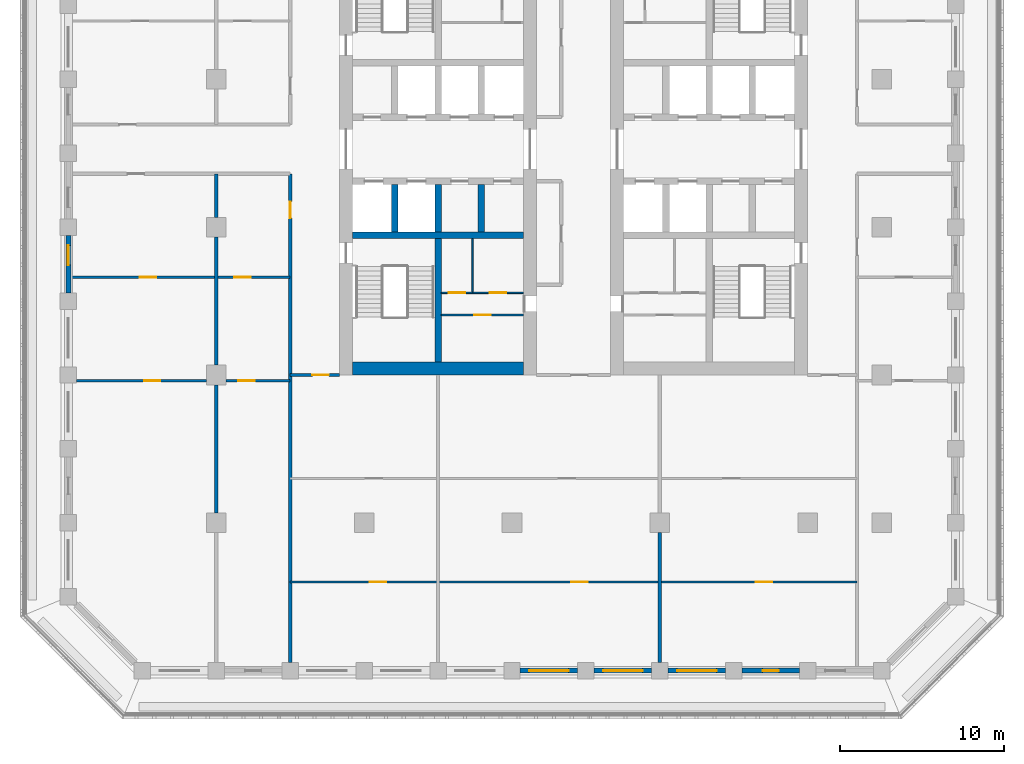
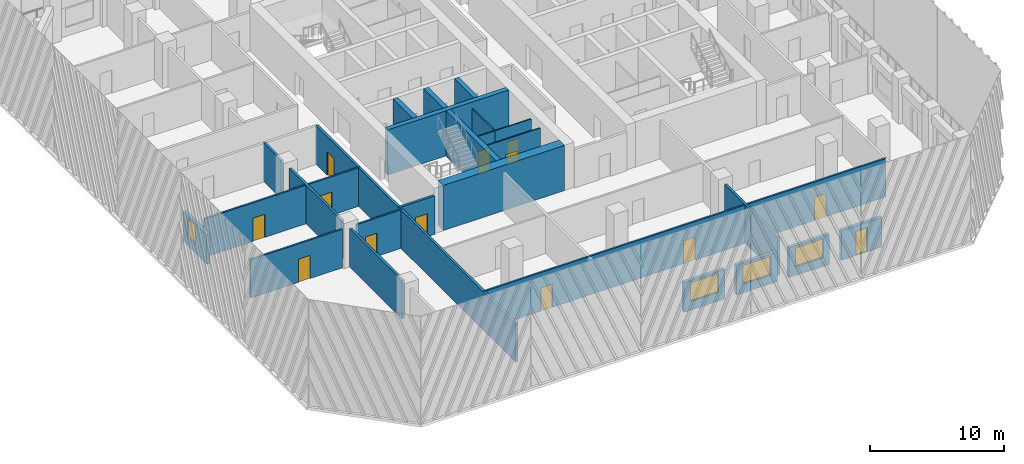
# One storey, part 3 of 18: 25 walls, 13 doors, 4 windows, 17 openings.
"""IFC4 building model written with IfcOpenShell, lengths in metres."""

from ifc_helpers import new_model, si_unit, direction, frame, frame_2d, origin, place, context, subcontext, project, spatial, rectangle, extrude, material, layer, layer_set, type_object, element, fill, save


model = new_model("IFC4")

# Units and contexts
model_context = context("Model", 3, precision=1e-05, world=origin(), true_north=direction((0.0, 1.0)))
body_context = subcontext(model_context, "Body", "Model", "MODEL_VIEW")
ifc_project = project(units=[si_unit("LENGTHUNIT", "METRE"), si_unit("AREAUNIT", "SQUARE_METRE"), si_unit("VOLUMEUNIT", "CUBIC_METRE"), si_unit("PLANEANGLEUNIT", "RADIAN"), si_unit("MASSUNIT", "GRAM", prefix="KILO")], contexts=[model_context])

# Site, building, storey
site_placement = place(None, origin())
site = spatial("IfcSite", under=ifc_project, at=site_placement, CompositionType="ELEMENT")
building_placement = place(site_placement, origin())
building = spatial("IfcBuilding", under=site, at=building_placement, Name="Corbel Stack Research Tower", CompositionType="ELEMENT")
storey_placement = place(building_placement, frame((0.0, 0.0, 181.39990234375)))
storey = spatial("IfcBuildingStorey", under=building, at=storey_placement, Name="L41", CompositionType="ELEMENT", Elevation=181.39990234375)

# Walls
ifc_material_1 = material(Name="Concrete C60/75", Category="concrete")
ifc_layer_1 = layer(ifc_material_1, 0.39990234375)
ifc_layer_set_1 = layer_set([ifc_layer_1], Name="Concrete C60/75")
wall_type_1 = type_object("IfcWallType", Name="CW-400-60", PredefinedType="SHEAR", material=ifc_layer_set_1)
wall_1_placement = place(storey_placement, frame((-9.699951171875, -0.5, 0.0), z_axis=(0.0, 0.0, 1.0), x_axis=(1.0, 0.0, 0.0)))
element("IfcWall", 1, at=wall_1_placement, inside=storey, type_object=wall_type_1, Name="West core wall, south row back L41", PredefinedType="SHEAR", context=body_context, shape_type="SweptSolid", body=[
    extrude(rectangle(XDim=10.39990234375, YDim=0.39990234375, at=frame_2d((5.199951171875, 0.0))), origin(), (0.0, 0.0, 1.0), 4.10009765625),
])
for number, where, z_axis, x_axis, name in (
    (2, (-7.125, -0.300048828125, 0.0), (0.0, 0.0, 1.0), (0.0, 1.0, 0.0), "West core wall, south shaft 1 L41"),
    (3, (-4.5, -0.300048828125, 0.0), (0.0, 0.0, 1.0), (0.0, 1.0, 0.0), "West core wall, south shaft 2 L41"),
    (4, (-1.875, -0.300048828125, 0.0), (0.0, 0.0, 1.0), (0.0, 1.0, 0.0), "West core wall, south shaft 3 L41"),
):
    element("IfcWall", number, at=place(storey_placement, frame(where, z_axis=z_axis, x_axis=x_axis)), inside=storey, type_object=wall_type_1, Name=name, PredefinedType="SHEAR", context=body_context, shape_type="SweptSolid", body=[
        extrude(rectangle(XDim=2.900146484375, YDim=0.39990234375, at=frame_2d((1.4501953125, 0.0))), origin(), (0.0, 0.0, 1.0), 4.10009765625),
    ])
wall_2_placement = place(storey_placement, frame((-4.5, -8.199951171875, 0.0), z_axis=(0.0, 0.0, 1.0), x_axis=(0.0, 1.0, 0.0)))
element("IfcWall", 5, at=wall_2_placement, inside=storey, type_object=wall_type_1, Name="West core wall, south stair and WC L41", PredefinedType="SHEAR", context=body_context, shape_type="SweptSolid", body=[
    extrude(rectangle(XDim=7.5, YDim=0.39990234375, at=frame_2d((3.75, 0.0))), origin(), (0.0, 0.0, 1.0), 4.10009765625),
])
ifc_material_2 = material(Name="Concrete C60/75", Category="concrete")
ifc_layer_2 = layer(ifc_material_2, 0.800048828125)
ifc_layer_set_2 = layer_set([ifc_layer_2], Name="Concrete C60/75")
wall_type_2 = type_object("IfcWallType", Name="CW-800-60", PredefinedType="SHEAR", material=ifc_layer_set_2)
wall_3_placement = place(storey_placement, frame((-9.699951171875, -8.60009765625, 0.0), z_axis=(0.0, 0.0, 1.0), x_axis=(1.0, 0.0, 0.0)))
element("IfcWall", 6, at=wall_3_placement, inside=storey, type_object=wall_type_2, Name="West core wall, south end L41", PredefinedType="SHEAR", context=body_context, shape_type="SweptSolid", body=[
    extrude(rectangle(XDim=10.39990234375, YDim=0.800048828125, at=frame_2d((5.199951171875, 0.0))), origin(), (0.0, 0.0, 1.0), 4.10009765625),
])

# Wall, opening, door
ifc_material_3 = material(Name="Gypsum board")
ifc_layer_3 = layer(ifc_material_3, 0.10009765625)
ifc_layer_set_3 = layer_set([ifc_layer_3], Name="Gypsum board")
wall_type_3 = type_object("IfcWallType", Name="Core partition 100", PredefinedType="PARTITIONING", material=ifc_layer_set_3)
wall_4_placement = place(storey_placement, frame((-4.300048828125, -5.35009765625, 0.0), z_axis=(0.0, 0.0, 1.0), x_axis=(1.0, 0.0, 0.0)))
wall_4 = element("IfcWall", 7, at=wall_4_placement, inside=storey, type_object=wall_type_3, Name="Core partition W", PredefinedType="PARTITIONING", context=body_context, shape_type="SweptSolid", body=[
    extrude(rectangle(XDim=5.0, YDim=0.10009765625, at=frame_2d((2.5, 0.0))), origin(), (0.0, 0.0, 1.0), 3.5),
])
opening_1_placement = place(wall_4_placement, frame((2.0, 0.0, 0.0)))
opening_1 = element("IfcOpeningElement", 8, at=opening_1_placement, cuts=wall_4, Name="Opening CR-W24-W2-1000", PredefinedType="OPENING", context=body_context, shape_type="SweptSolid", body=[
    extrude(rectangle(XDim=1.0, YDim=2.10009765625, at=frame_2d((0.5, 1.050048828125))), frame((0.0, 0.06005859375, 0.0), z_axis=(0.0, -1.0, 0.0), x_axis=(1.0, 0.0, 0.0)), (0.0, 0.0, 1.0), 0.1201171875),
])
ifc_material_4 = material(Name="Painted timber door", Category="wood")
door_type_1 = type_object("IfcDoorType", Name="WC door 1000 x 2100 right hand", OperationType="SINGLE_SWING_RIGHT", PredefinedType="DOOR", material=ifc_material_4)
door_1_placement = place(opening_1_placement, origin())
door_1 = element("IfcDoor", 9, at=door_1_placement, inside=storey, type_object=door_type_1, Name="Men's WC door W core", OperationType="SINGLE_SWING_RIGHT", OverallHeight=2.10009765625, OverallWidth=1.0, PredefinedType="DOOR", context=body_context, shape_type="SweptSolid", body=[
    extrude(rectangle(XDim=1.0, YDim=2.10009765625, at=frame_2d((0.5, 1.050048828125))), frame((0.0, 0.02490234375, 0.0), z_axis=(0.0, -1.0, 0.0), x_axis=(1.0, 0.0, 0.0)), (0.0, 0.0, 1.0), 0.050048828125),
])
fill(opening_1, door_1)

wall_5_placement = place(storey_placement, frame((-2.39990234375, -4.0, 0.0), z_axis=(0.0, 0.0, 1.0), x_axis=(1.0, 0.0, 0.0)))
wall_5 = element("IfcWall", 10, at=wall_5_placement, inside=storey, type_object=wall_type_3, Name="Core partition W", PredefinedType="PARTITIONING", context=body_context, shape_type="SweptSolid", body=[
    extrude(rectangle(XDim=3.099853515625, YDim=0.10009765625, at=frame_2d((1.5498046875, 0.0))), origin(), (0.0, 0.0, 1.0), 3.5),
])
opening_2_placement = place(wall_5_placement, frame((1.050048828125, 0.0, 0.0)))
opening_2 = element("IfcOpeningElement", 11, at=opening_2_placement, cuts=wall_5, Name="Opening CR-W24-W3-1000", PredefinedType="OPENING", context=body_context, shape_type="SweptSolid", body=[
    extrude(rectangle(XDim=1.0, YDim=2.10009765625, at=frame_2d((0.5, 1.050048828125))), frame((0.0, 0.06005859375, 0.0), z_axis=(0.0, -1.0, 0.0), x_axis=(1.0, 0.0, 0.0)), (0.0, 0.0, 1.0), 0.1201171875),
])
ifc_material_5 = material(Name="Painted timber door", Category="wood")
door_type_2 = type_object("IfcDoorType", Name="WC door 1000 x 2100 left hand", OperationType="SINGLE_SWING_LEFT", PredefinedType="DOOR", material=ifc_material_5)
door_2_placement = place(opening_2_placement, origin())
door_2 = element("IfcDoor", 12, at=door_2_placement, inside=storey, type_object=door_type_2, Name="Women's WC door W core", OperationType="SINGLE_SWING_LEFT", OverallHeight=2.10009765625, OverallWidth=1.0, PredefinedType="DOOR", context=body_context, shape_type="SweptSolid", body=[
    extrude(rectangle(XDim=1.0, YDim=2.10009765625, at=frame_2d((0.5, 1.050048828125))), frame((0.0, 0.02490234375, 0.0), z_axis=(0.0, -1.0, 0.0), x_axis=(1.0, 0.0, 0.0)), (0.0, 0.0, 1.0), 0.050048828125),
])
fill(opening_2, door_2)

wall_6_placement = place(storey_placement, frame((-4.300048828125, -4.0, 0.0), z_axis=(0.0, 0.0, 1.0), x_axis=(1.0, 0.0, 0.0)))
wall_6 = element("IfcWall", 13, at=wall_6_placement, inside=storey, type_object=wall_type_3, Name="Core partition W", PredefinedType="PARTITIONING", context=body_context, shape_type="SweptSolid", body=[
    extrude(rectangle(XDim=1.900146484375, YDim=0.10009765625, at=frame_2d((0.9501953125, 0.0))), origin(), (0.0, 0.0, 1.0), 3.5),
])
opening_3_placement = place(wall_6_placement, frame((0.449951171875, 0.0, 0.0)))
opening_3 = element("IfcOpeningElement", 14, at=opening_3_placement, cuts=wall_6, Name="Opening CR-W24-W4-1000", PredefinedType="OPENING", context=body_context, shape_type="SweptSolid", body=[
    extrude(rectangle(XDim=1.0, YDim=2.10009765625, at=frame_2d((0.5, 1.050048828125))), frame((0.0, 0.06005859375, 0.0), z_axis=(0.0, -1.0, 0.0), x_axis=(1.0, 0.0, 0.0)), (0.0, 0.0, 1.0), 0.1201171875),
])
door_3_placement = place(opening_3_placement, origin())
door_3 = element("IfcDoor", 15, at=door_3_placement, inside=storey, type_object=door_type_1, Name="Accessible WC door W core", OperationType="SINGLE_SWING_RIGHT", OverallHeight=2.10009765625, OverallWidth=1.0, PredefinedType="DOOR", context=body_context, shape_type="SweptSolid", body=[
    extrude(rectangle(XDim=1.0, YDim=2.10009765625, at=frame_2d((0.5, 1.050048828125))), frame((0.0, 0.02490234375, 0.0), z_axis=(0.0, -1.0, 0.0), x_axis=(1.0, 0.0, 0.0)), (0.0, 0.0, 1.0), 0.050048828125),
])
fill(opening_3, door_3)

# Walls
wall_7_placement = place(storey_placement, frame((-2.39990234375, -4.0, 0.0), z_axis=(0.0, 0.0, 1.0), x_axis=(0.0, 1.0, 0.0)))
element("IfcWall", 16, at=wall_7_placement, inside=storey, type_object=wall_type_3, Name="Core partition W", PredefinedType="PARTITIONING", context=body_context, shape_type="SweptSolid", body=[
    extrude(rectangle(XDim=3.300048828125, YDim=0.10009765625, at=frame_2d((1.64990234375, 0.0))), origin(), (0.0, 0.0, 1.0), 3.5),
])
ifc_material_6 = material(Name="Fire-rated gypsum board partition on steel studs", Category="steel")
ifc_layer_4 = layer(ifc_material_6, 0.199951171875)
ifc_layer_set_4 = layer_set([ifc_layer_4], Name="Fire-rated gypsum board partition on steel studs")
wall_type_4 = type_object("IfcWallType", Name="Fire-rated partition 200 EI 60", PredefinedType="PARTITIONING", material=ifc_layer_set_4)
for number, where, z_axis, x_axis, name in (
    (17, (-18.0, -17.39990234375, 0.0), (0.0, 0.0, 1.0), (0.0, 1.0, 0.0), "Partition L41-002"),
    (18, (-18.0, -8.39990234375, 0.0), (0.0, 0.0, 1.0), (0.0, 1.0, 0.0), "Partition L41-003"),
):
    element("IfcWall", number, at=place(storey_placement, frame(where, z_axis=z_axis, x_axis=x_axis)), inside=storey, type_object=wall_type_4, Name=name, PredefinedType="PARTITIONING", context=body_context, shape_type="SweptSolid", body=[
        extrude(rectangle(XDim=7.7998046875, YDim=0.199951171875, at=frame_2d((3.89990234375, 0.0))), origin(), (0.0, 0.0, 1.0), 3.5),
    ])
wall_8_placement = place(storey_placement, frame((-18.0, 0.60009765625, 0.0), z_axis=(0.0, 0.0, 1.0), x_axis=(0.0, 1.0, 0.0)))
element("IfcWall", 19, at=wall_8_placement, inside=storey, type_object=wall_type_4, Name="Partition L41-004", PredefinedType="PARTITIONING", context=body_context, shape_type="SweptSolid", body=[
    extrude(rectangle(XDim=2.64990234375, YDim=0.199951171875, at=frame_2d((1.324951171875, 0.0))), origin(), (0.0, 0.0, 1.0), 3.5),
])

# Wall, opening, door
wall_9_placement = place(storey_placement, frame((-13.5, -26.5, 0.0), z_axis=(0.0, 0.0, 1.0), x_axis=(0.0, 1.0, 0.0)))
wall_9 = element("IfcWall", 20, at=wall_9_placement, inside=storey, type_object=wall_type_4, Name="Partition L41-009", PredefinedType="PARTITIONING", context=body_context, shape_type="SweptSolid", body=[
    extrude(rectangle(XDim=29.75, YDim=0.199951171875, at=frame_2d((14.875, 0.0))), origin(), (0.0, 0.0, 1.0), 3.5),
])
opening_4_placement = place(wall_9_placement, frame((27.050048828125, 0.0, 0.0)))
opening_4 = element("IfcOpeningElement", 21, at=opening_4_placement, cuts=wall_9, Name="Opening B5V2-007", PredefinedType="OPENING", context=body_context, shape_type="SweptSolid", body=[
    extrude(rectangle(XDim=1.0, YDim=2.10009765625, at=frame_2d((0.5, 1.050048828125))), frame((0.0, 0.10986328125, 0.0), z_axis=(0.0, -1.0, 0.0), x_axis=(1.0, 0.0, 0.0)), (0.0, 0.0, 1.0), 0.219970703125),
])
ifc_material_7 = material(Name="Painted steel fire door", Category="steel")
door_type_3 = type_object("IfcDoorType", Name="Fire door FD30S 1000 x 2100", OperationType="NOTDEFINED", PredefinedType="DOOR", material=ifc_material_7)
door_4_placement = place(opening_4_placement, origin())
door_4 = element("IfcDoor", 22, at=door_4_placement, inside=storey, type_object=door_type_3, Name="Door B5V2-007", OperationType="SINGLE_SWING_RIGHT", OverallHeight=2.10009765625, OverallWidth=1.0, PredefinedType="DOOR", context=body_context, shape_type="SweptSolid", body=[
    extrude(rectangle(XDim=1.0, YDim=2.10009765625, at=frame_2d((0.5, 1.050048828125))), frame((0.0, 0.02490234375, 0.0), z_axis=(0.0, -1.0, 0.0), x_axis=(1.0, 0.0, 0.0)), (0.0, 0.0, 1.0), 0.050048828125),
])
fill(opening_4, door_4)

# Wall
wall_10_placement = place(storey_placement, frame((9.0, -26.5, 0.0), z_axis=(0.0, 0.0, 1.0), x_axis=(0.0, 1.0, 0.0)))
element("IfcWall", 23, at=wall_10_placement, inside=storey, type_object=wall_type_4, Name="Partition L41-015", PredefinedType="PARTITIONING", context=body_context, shape_type="SweptSolid", body=[
    extrude(rectangle(XDim=7.89990234375, YDim=0.199951171875, at=frame_2d((3.949951171875, 0.0))), origin(), (0.0, 0.0, 1.0), 3.5),
])

# Wall, opening, door
wall_11_placement = place(storey_placement, frame((-10.5, -9.0, 0.0), z_axis=(0.0, 0.0, 1.0), x_axis=(-1.0, 0.0, 0.0)))
wall_11 = element("IfcWall", 24, at=wall_11_placement, inside=storey, type_object=wall_type_4, Name="Partition L41-027", PredefinedType="PARTITIONING", context=body_context, shape_type="SweptSolid", body=[
    extrude(rectangle(XDim=3.0, YDim=0.199951171875, at=frame_2d((1.5, 0.0))), origin(), (0.0, 0.0, 1.0), 3.5),
])
opening_5_placement = place(wall_11_placement, frame((0.64990234375, 0.0, 0.0)))
opening_5 = element("IfcOpeningElement", 25, at=opening_5_placement, cuts=wall_11, Name="Opening B5V2-012", PredefinedType="OPENING", context=body_context, shape_type="SweptSolid", body=[
    extrude(rectangle(XDim=1.0, YDim=2.10009765625, at=frame_2d((0.5, 1.050048828125))), frame((0.0, 0.10986328125, 0.0), z_axis=(0.0, -1.0, 0.0), x_axis=(1.0, 0.0, 0.0)), (0.0, 0.0, 1.0), 0.219970703125),
])
door_5_placement = place(opening_5_placement, origin())
door_5 = element("IfcDoor", 26, at=door_5_placement, inside=storey, type_object=door_type_3, Name="Door B5V2-012", OperationType="SINGLE_SWING_LEFT", OverallHeight=2.10009765625, OverallWidth=1.0, PredefinedType="DOOR", context=body_context, shape_type="SweptSolid", body=[
    extrude(rectangle(XDim=1.0, YDim=2.10009765625, at=frame_2d((0.5, 1.050048828125))), frame((0.0, 0.02490234375, 0.0), z_axis=(0.0, -1.0, 0.0), x_axis=(1.0, 0.0, 0.0)), (0.0, 0.0, 1.0), 0.050048828125),
])
fill(opening_5, door_5)

# Wall, openings, doors
ifc_material_8 = material(Name="Gypsum board partition on steel studs", Category="steel")
ifc_layer_5 = layer(ifc_material_8, 0.14990234375)
ifc_layer_set_5 = layer_set([ifc_layer_5], Name="Gypsum board partition on steel studs")
wall_type_5 = type_object("IfcWallType", Name="Partition 150", PredefinedType="PARTITIONING", material=ifc_layer_set_5)
wall_12_placement = place(storey_placement, frame((21.0, -21.60009765625, 0.0), z_axis=(0.0, 0.0, 1.0), x_axis=(-1.0, 0.0, 0.0)))
wall_12 = element("IfcWall", 27, at=wall_12_placement, inside=storey, type_object=wall_type_5, Name="Partition L41-021", PredefinedType="PARTITIONING", context=body_context, shape_type="SweptSolid", body=[
    extrude(rectangle(XDim=34.5, YDim=0.14990234375, at=frame_2d((17.25, 0.0))), origin(), (0.0, 0.0, 1.0), 3.5),
])
opening_6_placement = place(wall_12_placement, frame((28.64990234375, 0.0, 0.0)))
opening_6 = element("IfcOpeningElement", 28, at=opening_6_placement, cuts=wall_12, Name="Opening B5V2-001", PredefinedType="OPENING", context=body_context, shape_type="SweptSolid", body=[
    extrude(rectangle(XDim=1.0, YDim=2.10009765625, at=frame_2d((0.5, 1.050048828125))), frame((0.0, 0.0849609375, 0.0), z_axis=(0.0, -1.0, 0.0), x_axis=(1.0, 0.0, 0.0)), (0.0, 0.0, 1.0), 0.169921875),
])
opening_7_placement = place(wall_12_placement, frame((16.39990234375, 0.0, 0.0)))
opening_7 = element("IfcOpeningElement", 29, at=opening_7_placement, cuts=wall_12, Name="Opening B5V2-002", PredefinedType="OPENING", context=body_context, shape_type="SweptSolid", body=[
    extrude(rectangle(XDim=1.0, YDim=2.10009765625, at=frame_2d((0.5, 1.050048828125))), frame((0.0, 0.0849609375, 0.0), z_axis=(0.0, -1.0, 0.0), x_axis=(1.0, 0.0, 0.0)), (0.0, 0.0, 1.0), 0.169921875),
])
opening_8_placement = place(wall_12_placement, frame((5.14990234375, 0.0, 0.0)))
opening_8 = element("IfcOpeningElement", 30, at=opening_8_placement, cuts=wall_12, Name="Opening B5V2-003", PredefinedType="OPENING", context=body_context, shape_type="SweptSolid", body=[
    extrude(rectangle(XDim=1.0, YDim=2.10009765625, at=frame_2d((0.5, 1.050048828125))), frame((0.0, 0.0849609375, 0.0), z_axis=(0.0, -1.0, 0.0), x_axis=(1.0, 0.0, 0.0)), (0.0, 0.0, 1.0), 0.169921875),
])
ifc_material_9 = material(Name="Painted timber door", Category="wood")
door_type_4 = type_object("IfcDoorType", Name="Single door 1000 x 2100", OperationType="NOTDEFINED", PredefinedType="DOOR", material=ifc_material_9)
door_6_placement = place(opening_6_placement, origin())
door_6 = element("IfcDoor", 31, at=door_6_placement, inside=storey, type_object=door_type_4, Name="Door B5V2-001", OperationType="SINGLE_SWING_RIGHT", OverallHeight=2.10009765625, OverallWidth=1.0, PredefinedType="DOOR", context=body_context, shape_type="SweptSolid", body=[
    extrude(rectangle(XDim=1.0, YDim=2.10009765625, at=frame_2d((0.5, 1.050048828125))), frame((0.0, 0.02490234375, 0.0), z_axis=(0.0, -1.0, 0.0), x_axis=(1.0, 0.0, 0.0)), (0.0, 0.0, 1.0), 0.050048828125),
])
fill(opening_6, door_6)
door_7_placement = place(opening_7_placement, origin())
door_7 = element("IfcDoor", 32, at=door_7_placement, inside=storey, type_object=door_type_4, Name="Door B5V2-002", OperationType="SINGLE_SWING_LEFT", OverallHeight=2.10009765625, OverallWidth=1.0, PredefinedType="DOOR", context=body_context, shape_type="SweptSolid", body=[
    extrude(rectangle(XDim=1.0, YDim=2.10009765625, at=frame_2d((0.5, 1.050048828125))), frame((0.0, 0.02490234375, 0.0), z_axis=(0.0, -1.0, 0.0), x_axis=(1.0, 0.0, 0.0)), (0.0, 0.0, 1.0), 0.050048828125),
])
fill(opening_7, door_7)
door_8_placement = place(opening_8_placement, origin())
door_8 = element("IfcDoor", 33, at=door_8_placement, inside=storey, type_object=door_type_4, Name="Door B5V2-003", OperationType="SINGLE_SWING_LEFT", OverallHeight=2.10009765625, OverallWidth=1.0, PredefinedType="DOOR", context=body_context, shape_type="SweptSolid", body=[
    extrude(rectangle(XDim=1.0, YDim=2.10009765625, at=frame_2d((0.5, 1.050048828125))), frame((0.0, 0.02490234375, 0.0), z_axis=(0.0, -1.0, 0.0), x_axis=(1.0, 0.0, 0.0)), (0.0, 0.0, 1.0), 0.050048828125),
])
fill(opening_8, door_8)

# Wall, opening, door
wall_13_placement = place(storey_placement, frame((-18.60009765625, -9.35009765625, 0.0), z_axis=(0.0, 0.0, 1.0), x_axis=(-1.0, 0.0, 0.0)))
wall_13 = element("IfcWall", 34, at=wall_13_placement, inside=storey, type_object=wall_type_5, Name="Partition L41-023", PredefinedType="PARTITIONING", context=body_context, shape_type="SweptSolid", body=[
    extrude(rectangle(XDim=7.89990234375, YDim=0.14990234375, at=frame_2d((3.949951171875, 0.0))), origin(), (0.0, 0.0, 1.0), 3.5),
])
opening_9_placement = place(wall_13_placement, frame((2.800048828125, 0.0, 0.0)))
opening_9 = element("IfcOpeningElement", 35, at=opening_9_placement, cuts=wall_13, Name="Opening B5V2-009", PredefinedType="OPENING", context=body_context, shape_type="SweptSolid", body=[
    extrude(rectangle(XDim=1.0, YDim=2.10009765625, at=frame_2d((0.5, 1.050048828125))), frame((0.0, 0.0849609375, 0.0), z_axis=(0.0, -1.0, 0.0), x_axis=(1.0, 0.0, 0.0)), (0.0, 0.0, 1.0), 0.169921875),
])
door_9_placement = place(opening_9_placement, origin())
door_9 = element("IfcDoor", 36, at=door_9_placement, inside=storey, type_object=door_type_4, Name="Door B5V2-009", OperationType="SINGLE_SWING_LEFT", OverallHeight=2.10009765625, OverallWidth=1.0, PredefinedType="DOOR", context=body_context, shape_type="SweptSolid", body=[
    extrude(rectangle(XDim=1.0, YDim=2.10009765625, at=frame_2d((0.5, 1.050048828125))), frame((0.0, 0.02490234375, 0.0), z_axis=(0.0, -1.0, 0.0), x_axis=(1.0, 0.0, 0.0)), (0.0, 0.0, 1.0), 0.050048828125),
])
fill(opening_9, door_9)

wall_14_placement = place(storey_placement, frame((-13.5, -9.35009765625, 0.0), z_axis=(0.0, 0.0, 1.0), x_axis=(-1.0, 0.0, 0.0)))
wall_14 = element("IfcWall", 37, at=wall_14_placement, inside=storey, type_object=wall_type_5, Name="Partition L41-024", PredefinedType="PARTITIONING", context=body_context, shape_type="SweptSolid", body=[
    extrude(rectangle(XDim=3.89990234375, YDim=0.14990234375, at=frame_2d((1.949951171875, 0.0))), origin(), (0.0, 0.0, 1.0), 3.5),
])
opening_10_placement = place(wall_14_placement, frame((2.14990234375, 0.0, 0.0)))
opening_10 = element("IfcOpeningElement", 38, at=opening_10_placement, cuts=wall_14, Name="Opening B5V2-010", PredefinedType="OPENING", context=body_context, shape_type="SweptSolid", body=[
    extrude(rectangle(XDim=1.0, YDim=2.10009765625, at=frame_2d((0.5, 1.050048828125))), frame((0.0, 0.0849609375, 0.0), z_axis=(0.0, -1.0, 0.0), x_axis=(1.0, 0.0, 0.0)), (0.0, 0.0, 1.0), 0.169921875),
])
door_10_placement = place(opening_10_placement, origin())
door_10 = element("IfcDoor", 39, at=door_10_placement, inside=storey, type_object=door_type_4, Name="Door B5V2-010", OperationType="SINGLE_SWING_RIGHT", OverallHeight=2.10009765625, OverallWidth=1.0, PredefinedType="DOOR", context=body_context, shape_type="SweptSolid", body=[
    extrude(rectangle(XDim=1.0, YDim=2.10009765625, at=frame_2d((0.5, 1.050048828125))), frame((0.0, 0.02490234375, 0.0), z_axis=(0.0, -1.0, 0.0), x_axis=(1.0, 0.0, 0.0)), (0.0, 0.0, 1.0), 0.050048828125),
])
fill(opening_10, door_10)

# Wall, openings, doors
wall_15_placement = place(storey_placement, frame((-13.5, -3.050048828125, 0.0), z_axis=(0.0, 0.0, 1.0), x_axis=(-1.0, 0.0, 0.0)))
wall_15 = element("IfcWall", 40, at=wall_15_placement, inside=storey, type_object=wall_type_5, Name="Partition L41-031", PredefinedType="PARTITIONING", context=body_context, shape_type="SweptSolid", body=[
    extrude(rectangle(XDim=13.35009765625, YDim=0.14990234375, at=frame_2d((6.675048828125, 0.0))), origin(), (0.0, 0.0, 1.0), 3.5),
])
opening_11_placement = place(wall_15_placement, frame((8.14990234375, 0.0, 0.0)))
opening_11 = element("IfcOpeningElement", 41, at=opening_11_placement, cuts=wall_15, Name="Opening B5V2-015", PredefinedType="OPENING", context=body_context, shape_type="SweptSolid", body=[
    extrude(rectangle(XDim=1.0, YDim=2.10009765625, at=frame_2d((0.5, 1.050048828125))), frame((0.0, 0.0849609375, 0.0), z_axis=(0.0, -1.0, 0.0), x_axis=(1.0, 0.0, 0.0)), (0.0, 0.0, 1.0), 0.169921875),
])
opening_12_placement = place(wall_15_placement, frame((2.39990234375, 0.0, 0.0)))
opening_12 = element("IfcOpeningElement", 42, at=opening_12_placement, cuts=wall_15, Name="Opening B5V2-016", PredefinedType="OPENING", context=body_context, shape_type="SweptSolid", body=[
    extrude(rectangle(XDim=1.0, YDim=2.10009765625, at=frame_2d((0.5, 1.050048828125))), frame((0.0, 0.0849609375, 0.0), z_axis=(0.0, -1.0, 0.0), x_axis=(1.0, 0.0, 0.0)), (0.0, 0.0, 1.0), 0.169921875),
])
door_11_placement = place(opening_11_placement, origin())
door_11 = element("IfcDoor", 43, at=door_11_placement, inside=storey, type_object=door_type_4, Name="Door B5V2-015", OperationType="SINGLE_SWING_RIGHT", OverallHeight=2.10009765625, OverallWidth=1.0, PredefinedType="DOOR", context=body_context, shape_type="SweptSolid", body=[
    extrude(rectangle(XDim=1.0, YDim=2.10009765625, at=frame_2d((0.5, 1.050048828125))), frame((0.0, 0.02490234375, 0.0), z_axis=(0.0, -1.0, 0.0), x_axis=(1.0, 0.0, 0.0)), (0.0, 0.0, 1.0), 0.050048828125),
])
fill(opening_11, door_11)
door_12_placement = place(opening_12_placement, origin())
door_12 = element("IfcDoor", 44, at=door_12_placement, inside=storey, type_object=door_type_4, Name="Door B5V2-016", OperationType="SINGLE_SWING_LEFT", OverallHeight=2.10009765625, OverallWidth=1.0, PredefinedType="DOOR", context=body_context, shape_type="SweptSolid", body=[
    extrude(rectangle(XDim=1.0, YDim=2.10009765625, at=frame_2d((0.5, 1.050048828125))), frame((0.0, 0.02490234375, 0.0), z_axis=(0.0, -1.0, 0.0), x_axis=(1.0, 0.0, 0.0)), (0.0, 0.0, 1.0), 0.050048828125),
])
fill(opening_12, door_12)

# Wall, opening, window
ifc_material_10 = material(Name="Concrete C45/55", Category="concrete")
ifc_layer_6 = layer(ifc_material_10, 0.300048828125)
ifc_layer_set_6 = layer_set([ifc_layer_6], Name="Concrete C45/55")
wall_type_6 = type_object("IfcWallType", Name="Terracotta-faced concrete wall 300", PredefinedType="SOLIDWALL", material=ifc_layer_set_6)
wall_16_placement = place(storey_placement, frame((4.0, -27.0, 0.0), z_axis=(0.0, 0.0, 1.0), x_axis=(-1.0, 0.0, 0.0)))
wall_16 = element("IfcWall", 45, at=wall_16_placement, inside=storey, type_object=wall_type_6, Name="Facade wall L41 S06", PredefinedType="SOLIDWALL", context=body_context, shape_type="SweptSolid", body=[
    extrude(rectangle(XDim=3.5, YDim=0.300048828125, at=frame_2d((1.75, 0.0))), origin(), (0.0, 0.0, 1.0), 2.7001953125),
])
opening_13_placement = place(wall_16_placement, frame((0.550048828125, 0.0, 0.800048828125)))
opening_13 = element("IfcOpeningElement", 46, at=opening_13_placement, cuts=wall_16, Name="Opening W1", PredefinedType="OPENING", context=body_context, shape_type="SweptSolid", body=[
    extrude(rectangle(XDim=2.39990234375, YDim=1.699951171875, at=frame_2d((1.199951171875, 0.85009765625))), frame((0.0, 0.159912109375, 0.0), z_axis=(0.0, -1.0, 0.0), x_axis=(1.0, 0.0, 0.0)), (0.0, 0.0, 1.0), 0.320068359375),
])
ifc_material_11 = material(Name="Aluminium frame, clear double glazing", Category="aluminium")
window_type_1 = type_object("IfcWindowType", Name="Window W1 2400 x 1700", PartitioningType="SINGLE_PANEL", PredefinedType="WINDOW", material=ifc_material_11)
window_1_placement = place(opening_13_placement, origin())
window_1 = element("IfcWindow", 47, at=window_1_placement, inside=storey, type_object=window_type_1, Name="Window W1 L41 S06", OverallHeight=1.699951171875, OverallWidth=2.39990234375, PartitioningType="SINGLE_PANEL", PredefinedType="WINDOW", context=body_context, shape_type="SweptSolid", body=[
    extrude(rectangle(XDim=2.39990234375, YDim=1.699951171875, at=frame_2d((1.199951171875, 0.85009765625))), frame((0.0, 0.030029296875, 0.0), z_axis=(0.0, -1.0, 0.0), x_axis=(1.0, 0.0, 0.0)), (0.0, 0.0, 1.0), 0.06005859375),
])
fill(opening_13, window_1)

wall_17_placement = place(storey_placement, frame((8.5, -27.0, 0.0), z_axis=(0.0, 0.0, 1.0), x_axis=(-1.0, 0.0, 0.0)))
wall_17 = element("IfcWall", 48, at=wall_17_placement, inside=storey, type_object=wall_type_6, Name="Facade wall L41 S07", PredefinedType="SOLIDWALL", context=body_context, shape_type="SweptSolid", body=[
    extrude(rectangle(XDim=3.5, YDim=0.300048828125, at=frame_2d((1.75, 0.0))), origin(), (0.0, 0.0, 1.0), 2.7001953125),
])
opening_14_placement = place(wall_17_placement, frame((0.550048828125, 0.0, 0.800048828125)))
opening_14 = element("IfcOpeningElement", 49, at=opening_14_placement, cuts=wall_17, Name="Opening W1", PredefinedType="OPENING", context=body_context, shape_type="SweptSolid", body=[
    extrude(rectangle(XDim=2.39990234375, YDim=1.699951171875, at=frame_2d((1.199951171875, 0.85009765625))), frame((0.0, 0.159912109375, 0.0), z_axis=(0.0, -1.0, 0.0), x_axis=(1.0, 0.0, 0.0)), (0.0, 0.0, 1.0), 0.320068359375),
])
window_2_placement = place(opening_14_placement, origin())
window_2 = element("IfcWindow", 50, at=window_2_placement, inside=storey, type_object=window_type_1, Name="Window W1 L41 S07", OverallHeight=1.699951171875, OverallWidth=2.39990234375, PartitioningType="SINGLE_PANEL", PredefinedType="WINDOW", context=body_context, shape_type="SweptSolid", body=[
    extrude(rectangle(XDim=2.39990234375, YDim=1.699951171875, at=frame_2d((1.199951171875, 0.85009765625))), frame((0.0, 0.030029296875, 0.0), z_axis=(0.0, -1.0, 0.0), x_axis=(1.0, 0.0, 0.0)), (0.0, 0.0, 1.0), 0.06005859375),
])
fill(opening_14, window_2)

wall_18_placement = place(storey_placement, frame((13.0, -27.0, 0.0), z_axis=(0.0, 0.0, 1.0), x_axis=(-1.0, 0.0, 0.0)))
wall_18 = element("IfcWall", 51, at=wall_18_placement, inside=storey, type_object=wall_type_6, Name="Facade wall L41 S08", PredefinedType="SOLIDWALL", context=body_context, shape_type="SweptSolid", body=[
    extrude(rectangle(XDim=3.5, YDim=0.300048828125, at=frame_2d((1.75, 0.0))), origin(), (0.0, 0.0, 1.0), 2.7001953125),
])
opening_15_placement = place(wall_18_placement, frame((0.550048828125, 0.0, 0.800048828125)))
opening_15 = element("IfcOpeningElement", 52, at=opening_15_placement, cuts=wall_18, Name="Opening W1", PredefinedType="OPENING", context=body_context, shape_type="SweptSolid", body=[
    extrude(rectangle(XDim=2.39990234375, YDim=1.699951171875, at=frame_2d((1.199951171875, 0.85009765625))), frame((0.0, 0.159912109375, 0.0), z_axis=(0.0, -1.0, 0.0), x_axis=(1.0, 0.0, 0.0)), (0.0, 0.0, 1.0), 0.320068359375),
])
window_3_placement = place(opening_15_placement, origin())
window_3 = element("IfcWindow", 53, at=window_3_placement, inside=storey, type_object=window_type_1, Name="Window W1 L41 S08", OverallHeight=1.699951171875, OverallWidth=2.39990234375, PartitioningType="SINGLE_PANEL", PredefinedType="WINDOW", context=body_context, shape_type="SweptSolid", body=[
    extrude(rectangle(XDim=2.39990234375, YDim=1.699951171875, at=frame_2d((1.199951171875, 0.85009765625))), frame((0.0, 0.030029296875, 0.0), z_axis=(0.0, -1.0, 0.0), x_axis=(1.0, 0.0, 0.0)), (0.0, 0.0, 1.0), 0.06005859375),
])
fill(opening_15, window_3)

# Wall, opening, door
wall_19_placement = place(storey_placement, frame((17.5, -27.0, 0.0), z_axis=(0.0, 0.0, 1.0), x_axis=(-1.0, 0.0, 0.0)))
wall_19 = element("IfcWall", 54, at=wall_19_placement, inside=storey, type_object=wall_type_6, Name="Facade wall L41 S09", PredefinedType="SOLIDWALL", context=body_context, shape_type="SweptSolid", body=[
    extrude(rectangle(XDim=3.5, YDim=0.300048828125, at=frame_2d((1.75, 0.0))), origin(), (0.0, 0.0, 1.0), 2.7001953125),
])
opening_16_placement = place(wall_19_placement, frame((1.25, 0.0, 0.0)))
opening_16 = element("IfcOpeningElement", 55, at=opening_16_placement, cuts=wall_19, Name="Opening L41-B02", PredefinedType="OPENING", context=body_context, shape_type="SweptSolid", body=[
    extrude(rectangle(XDim=1.0, YDim=2.199951171875, at=frame_2d((0.5, 1.10009765625))), frame((0.0, 0.159912109375, 0.0), z_axis=(0.0, -1.0, 0.0), x_axis=(1.0, 0.0, 0.0)), (0.0, 0.0, 1.0), 0.320068359375),
])
ifc_material_12 = material(Name="Aluminium frame, clear double glazing", Category="aluminium")
door_type_5 = type_object("IfcDoorType", Name="Balcony door BD1 1000 x 2200", OperationType="NOTDEFINED", PredefinedType="DOOR", material=ifc_material_12)
door_13_placement = place(opening_16_placement, origin())
door_13 = element("IfcDoor", 56, at=door_13_placement, inside=storey, type_object=door_type_5, Name="Balcony door L41-B02", OperationType="SINGLE_SWING_RIGHT", OverallHeight=2.199951171875, OverallWidth=1.0, PredefinedType="DOOR", context=body_context, shape_type="SweptSolid", body=[
    extrude(rectangle(XDim=1.0, YDim=2.199951171875, at=frame_2d((0.5, 1.10009765625))), frame((0.0, 0.02490234375, 0.0), z_axis=(0.0, -1.0, 0.0), x_axis=(1.0, 0.0, 0.0)), (0.0, 0.0, 1.0), 0.050048828125),
])
fill(opening_16, door_13)

# Wall, opening, window
wall_20_placement = place(storey_placement, frame((-27.0, -4.0, 0.0), z_axis=(0.0, 0.0, 1.0), x_axis=(0.0, 1.0, 0.0)))
wall_20 = element("IfcWall", 57, at=wall_20_placement, inside=storey, type_object=wall_type_6, Name="Facade wall L41 W06", PredefinedType="SOLIDWALL", context=body_context, shape_type="SweptSolid", body=[
    extrude(rectangle(XDim=3.5, YDim=0.300048828125, at=frame_2d((1.75, 0.0))), origin(), (0.0, 0.0, 1.0), 2.7001953125),
])
opening_17_placement = place(wall_20_placement, frame((1.6875, 0.0, 0.800048828125)))
opening_17 = element("IfcOpeningElement", 58, at=opening_17_placement, cuts=wall_20, Name="Opening W2", PredefinedType="OPENING", context=body_context, shape_type="SweptSolid", body=[
    extrude(rectangle(XDim=1.199951171875, YDim=1.699951171875, at=frame_2d((0.60009765625, 0.85009765625))), frame((0.0, 0.159912109375, 0.0), z_axis=(0.0, -1.0, 0.0), x_axis=(1.0, 0.0, 0.0)), (0.0, 0.0, 1.0), 0.320068359375),
])
ifc_material_13 = material(Name="Aluminium frame, clear double glazing", Category="aluminium")
window_type_2 = type_object("IfcWindowType", Name="Window W2 1200 x 1700", PartitioningType="SINGLE_PANEL", PredefinedType="WINDOW", material=ifc_material_13)
window_4_placement = place(opening_17_placement, origin())
window_4 = element("IfcWindow", 59, at=window_4_placement, inside=storey, type_object=window_type_2, Name="Window W2 L41 W06", OverallHeight=1.699951171875, OverallWidth=1.199951171875, PartitioningType="SINGLE_PANEL", PredefinedType="WINDOW", context=body_context, shape_type="SweptSolid", body=[
    extrude(rectangle(XDim=1.199951171875, YDim=1.699951171875, at=frame_2d((0.60009765625, 0.85009765625))), frame((0.0, 0.030029296875, 0.0), z_axis=(0.0, -1.0, 0.0), x_axis=(1.0, 0.0, 0.0)), (0.0, 0.0, 1.0), 0.06005859375),
])
fill(opening_17, window_4)

save(model, "model.ifc")
